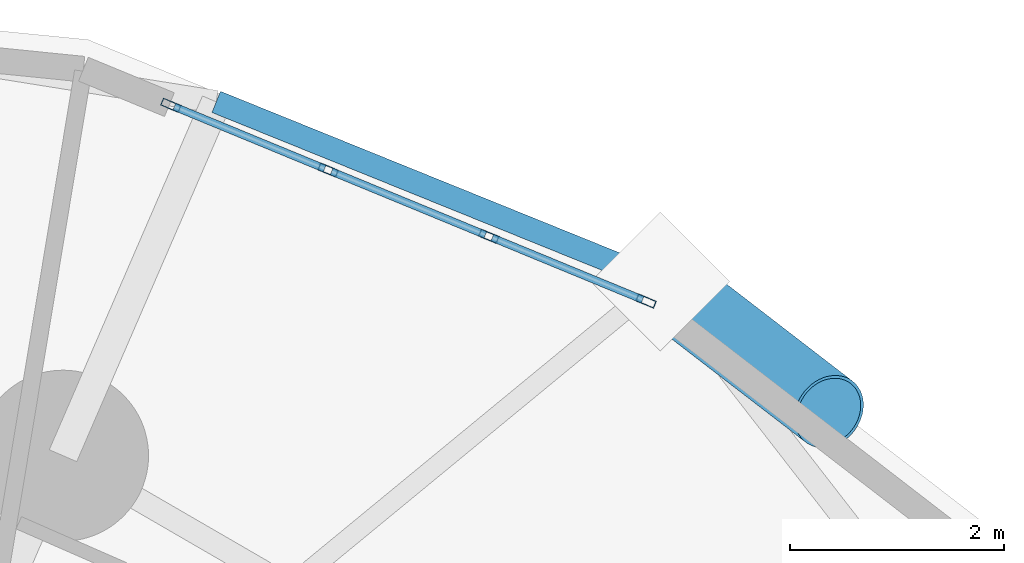
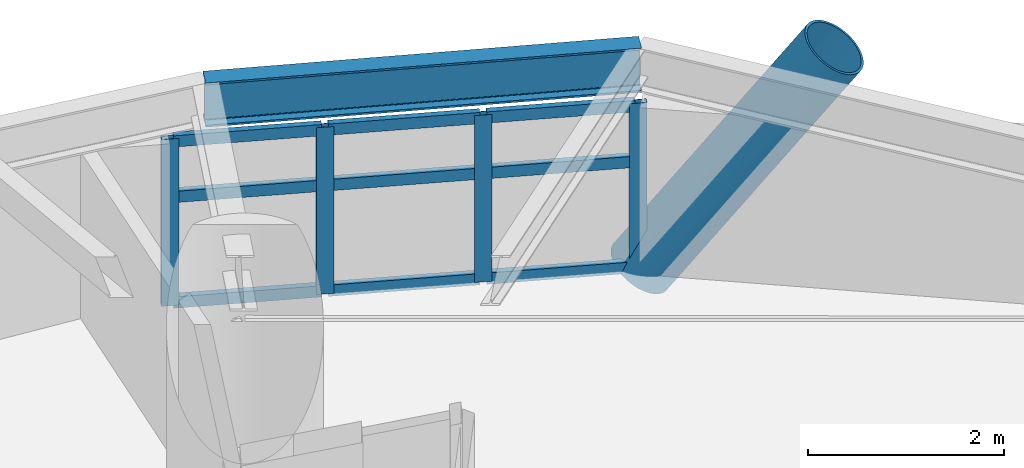
# One storey, part 7 of 19: 14 members, 1 beam, 1 element without a shape of its own.
"""IFC4 building model written with IfcOpenShell, lengths in metres."""

from ifc_helpers import new_model, si_unit, direction, frame, origin, origin_2d, place, context, subcontext, project, spatial, hollow_rectangle, hollow_circle, i_section, extrude, material, layer, layer_set, material_profile, profile_set, type_object, element, aggregate, save


model = new_model("IFC4")

# Units and contexts
model_context = context("Model", 3, precision=1e-05, world=origin(), true_north=direction((0.0, 1.0)))
body_context = subcontext(model_context, "Body", "Model", "MODEL_VIEW")
ifc_project = project(units=[si_unit("LENGTHUNIT", "METRE"), si_unit("AREAUNIT", "SQUARE_METRE"), si_unit("VOLUMEUNIT", "CUBIC_METRE"), si_unit("PLANEANGLEUNIT", "RADIAN"), si_unit("MASSUNIT", "GRAM", prefix="KILO")], contexts=[model_context])

# Site, building, storey
site_placement = place(None, origin())
site = spatial("IfcSite", under=ifc_project, at=site_placement, CompositionType="ELEMENT")
building_placement = place(site_placement, origin())
building = spatial("IfcBuilding", under=site, at=building_placement, Name="Cununo Teusaquillo Station Towers", CompositionType="ELEMENT")
storey_placement = place(building_placement, frame((0.0, 0.0, 30.72998046875)))
storey = spatial("IfcBuildingStorey", under=building, at=storey_placement, Name="L08", CompositionType="ELEMENT", Elevation=30.72998046875)

# Beam
ifc_material_1 = material(Name="Steel ASTM A572 Grade 50", Category="steel")
ifc_material_profile_1 = material_profile(ifc_material_1, i_section(OverallWidth=0.214111328125, OverallDepth=0.549072265625, WebThickness=0.0146484375, FlangeThickness=0.023681640625, FilletRadius=0.014892578125, at=origin_2d()), Name="W21X93")
ifc_profile_set_1 = profile_set([ifc_material_profile_1], Name="Steel ASTM A572 Grade 50")
beam_type = type_object("IfcBeamType", Name="BM-RING-Z1", PredefinedType="SPANDREL", material=ifc_profile_set_1)
beam_placement = place(storey_placement, frame((63.8779296875, 39.26416015625, 2.37548828125), z_axis=(-0.926969821386, 0.375135909025, 0.0), x_axis=(-0.375135909025, -0.926969821386, 0.0)))
element("IfcBeam", 1, at=beam_placement, inside=storey, type_object=beam_type, Name="L08 Tower B Spandrel Ring Beam 02", PredefinedType="SPANDREL", context=body_context, shape_type="SweptSolid", body=[
    extrude(i_section(OverallWidth=0.214111328125, OverallDepth=0.549072265625, WebThickness=0.0146484375, FlangeThickness=0.023681640625, FilletRadius=0.014892578125, at=origin_2d()), origin(), (0.0, 0.0, 1.0), 4.480712890625),
])

# Curtain wall, members
ifc_material_2 = material(Name="Ceramic-fritted dark low-E double glazing", Category="glass")
ifc_layer = layer(ifc_material_2, 0.179931640625)
ifc_layer_set = layer_set([ifc_layer], Name="Ceramic-fritted dark low-E double glazing")
curtain_wall_type = type_object("IfcCurtainWallType", Name="CW-SYS-02", PredefinedType="USERDEFINED", material=ifc_layer_set)
curtain_wall_placement = place(storey_placement, origin())
curtain_wall = element("IfcCurtainWall", 2, at=curtain_wall_placement, inside=storey, type_object=curtain_wall_type, Name="L08 Tower B Facade Curtain Wall C01", ObjectType="FRITTED GLAZING", PredefinedType="USERDEFINED")
ifc_material_3 = material(Name="Anodised dark bronze aluminium EN AW-6063-T6", Category="aluminium")
ifc_material_profile_2 = material_profile(ifc_material_3, hollow_rectangle(XDim=0.070068359375, YDim=0.179931640625, WallThickness=0.00390625, at=origin_2d()), Name="CW-MULL-70x180")
ifc_profile_set_2 = profile_set([ifc_material_profile_2], Name="Anodised dark bronze aluminium EN AW-6063-T6")
member_type_1 = type_object("IfcMemberType", Name="CWM-180", PredefinedType="MULLION", material=ifc_profile_set_2)
member_1_placement = place(storey_placement, frame((59.30029296875, 40.91357421875, 0.0), z_axis=(0.0, 0.0, 1.0), x_axis=(0.381054980568, 0.924552379146, 0.0)))
member_1 = element("IfcMember", 3, at=member_1_placement, type_object=member_type_1, Name="CW-02 mullion 1", PredefinedType="MULLION", context=body_context, shape_type="SweptSolid", body=[
    extrude(hollow_rectangle(XDim=0.070068359375, YDim=0.179931640625, WallThickness=0.00390625, at=origin_2d()), origin(), (0.0, 0.0, 1.0), 2.072998046875),
])
member_2_placement = place(storey_placement, frame((60.771240234375, 40.307373046875, 0.0), z_axis=(0.0, 0.0, 1.0), x_axis=(0.381054980568, 0.924552379146, 0.0)))
member_2 = element("IfcMember", 4, at=member_2_placement, type_object=member_type_1, Name="CW-02 mullion 2", PredefinedType="MULLION", context=body_context, shape_type="SweptSolid", body=[
    extrude(hollow_rectangle(XDim=0.070068359375, YDim=0.179931640625, WallThickness=0.00390625, at=origin_2d()), origin(), (0.0, 0.0, 1.0), 2.072998046875),
])
member_3_placement = place(storey_placement, frame((62.274658203125, 39.687744140625, 0.0), z_axis=(0.0, 0.0, 1.0), x_axis=(0.381054980568, 0.924552379146, 0.0)))
member_3 = element("IfcMember", 5, at=member_3_placement, type_object=member_type_1, Name="CW-02 mullion 3", PredefinedType="MULLION", context=body_context, shape_type="SweptSolid", body=[
    extrude(hollow_rectangle(XDim=0.070068359375, YDim=0.179931640625, WallThickness=0.00390625, at=origin_2d()), origin(), (0.0, 0.0, 1.0), 2.072998046875),
])
member_4_placement = place(storey_placement, frame((63.74560546875, 39.08154296875, 0.0), z_axis=(0.0, 0.0, 1.0), x_axis=(0.381054980568, 0.924552379146, 0.0)))
member_4 = element("IfcMember", 6, at=member_4_placement, type_object=member_type_1, Name="CW-02 mullion 4", PredefinedType="MULLION", context=body_context, shape_type="SweptSolid", body=[
    extrude(hollow_rectangle(XDim=0.070068359375, YDim=0.179931640625, WallThickness=0.00390625, at=origin_2d()), origin(), (0.0, 0.0, 1.0), 2.072998046875),
])
ifc_material_4 = material(Name="Anodised dark bronze aluminium EN AW-6063-T6", Category="aluminium")
ifc_material_profile_3 = material_profile(ifc_material_4, hollow_rectangle(XDim=0.070068359375, YDim=0.139892578125, WallThickness=0.00390625, at=origin_2d()), Name="CW-TRAN-70x140")
ifc_profile_set_3 = profile_set([ifc_material_profile_3], Name="Anodised dark bronze aluminium EN AW-6063-T6")
member_type_2 = type_object("IfcMemberType", Name="CWT-140", PredefinedType="USERDEFINED", material=ifc_profile_set_3)
member_5_placement = place(storey_placement, frame((59.33251953125, 40.900390625, 0.034912109375), z_axis=(0.924551727134, -0.381056562538, 0.0), x_axis=(0.381056562538, 0.924551727134, 0.0)))
member_5 = element("IfcMember", 7, at=member_5_placement, type_object=member_type_2, Name="CW-02 transom 1.1", ObjectType="TRANSOM", PredefinedType="USERDEFINED", context=body_context, shape_type="SweptSolid", body=[
    extrude(hollow_rectangle(XDim=0.070068359375, YDim=0.139892578125, WallThickness=0.00390625, at=origin_2d()), origin(), (0.0, 0.0, 1.0), 1.52099609375),
])
member_6_placement = place(storey_placement, frame((59.33251953125, 40.900390625, 1.346923828125), z_axis=(0.924551727134, -0.381056562538, 0.0), x_axis=(0.381056562538, 0.924551727134, 0.0)))
member_6 = element("IfcMember", 8, at=member_6_placement, type_object=member_type_2, Name="CW-02 transom 1.2", ObjectType="TRANSOM", PredefinedType="USERDEFINED", context=body_context, shape_type="SweptSolid", body=[
    extrude(hollow_rectangle(XDim=0.070068359375, YDim=0.139892578125, WallThickness=0.00390625, at=origin_2d()), origin(), (0.0, 0.0, 1.0), 1.52099609375),
])
member_7_placement = place(storey_placement, frame((59.33251953125, 40.900390625, 2.0380859375), z_axis=(0.924551727134, -0.381056562538, 0.0), x_axis=(0.381056562538, 0.924551727134, 0.0)))
member_7 = element("IfcMember", 9, at=member_7_placement, type_object=member_type_2, Name="CW-02 transom 1.3", ObjectType="TRANSOM", PredefinedType="USERDEFINED", context=body_context, shape_type="SweptSolid", body=[
    extrude(hollow_rectangle(XDim=0.070068359375, YDim=0.139892578125, WallThickness=0.00390625, at=origin_2d()), origin(), (0.0, 0.0, 1.0), 1.52099609375),
])
member_8_placement = place(storey_placement, frame((60.8037109375, 40.2939453125, 0.034912109375), z_axis=(0.924574069504, -0.381002349076, 0.0), x_axis=(0.381002349076, 0.924574069504, 0.0)))
member_8 = element("IfcMember", 10, at=member_8_placement, type_object=member_type_2, Name="CW-02 transom 2.1", ObjectType="TRANSOM", PredefinedType="USERDEFINED", context=body_context, shape_type="SweptSolid", body=[
    extrude(hollow_rectangle(XDim=0.070068359375, YDim=0.139892578125, WallThickness=0.00390625, at=origin_2d()), origin(), (0.0, 0.0, 1.0), 1.555908203125),
])
member_9_placement = place(storey_placement, frame((60.8037109375, 40.2939453125, 1.346923828125), z_axis=(0.924574069504, -0.381002349076, 0.0), x_axis=(0.381002349076, 0.924574069504, 0.0)))
member_9 = element("IfcMember", 11, at=member_9_placement, type_object=member_type_2, Name="CW-02 transom 2.2", ObjectType="TRANSOM", PredefinedType="USERDEFINED", context=body_context, shape_type="SweptSolid", body=[
    extrude(hollow_rectangle(XDim=0.070068359375, YDim=0.139892578125, WallThickness=0.00390625, at=origin_2d()), origin(), (0.0, 0.0, 1.0), 1.555908203125),
])
member_10_placement = place(storey_placement, frame((60.8037109375, 40.2939453125, 2.0380859375), z_axis=(0.924574069504, -0.381002349076, 0.0), x_axis=(0.381002349076, 0.924574069504, 0.0)))
member_10 = element("IfcMember", 12, at=member_10_placement, type_object=member_type_2, Name="CW-02 transom 2.3", ObjectType="TRANSOM", PredefinedType="USERDEFINED", context=body_context, shape_type="SweptSolid", body=[
    extrude(hollow_rectangle(XDim=0.070068359375, YDim=0.139892578125, WallThickness=0.00390625, at=origin_2d()), origin(), (0.0, 0.0, 1.0), 1.555908203125),
])
member_11_placement = place(storey_placement, frame((62.306884765625, 39.674560546875, 0.034912109375), z_axis=(0.924551727134, -0.381056562538, 0.0), x_axis=(0.381056562538, 0.924551727134, 0.0)))
member_11 = element("IfcMember", 13, at=member_11_placement, type_object=member_type_2, Name="CW-02 transom 3.1", ObjectType="TRANSOM", PredefinedType="USERDEFINED", context=body_context, shape_type="SweptSolid", body=[
    extrude(hollow_rectangle(XDim=0.070068359375, YDim=0.139892578125, WallThickness=0.00390625, at=origin_2d()), origin(), (0.0, 0.0, 1.0), 1.52099609375),
])
member_12_placement = place(storey_placement, frame((62.306884765625, 39.674560546875, 1.346923828125), z_axis=(0.924551727134, -0.381056562538, 0.0), x_axis=(0.381056562538, 0.924551727134, 0.0)))
member_12 = element("IfcMember", 14, at=member_12_placement, type_object=member_type_2, Name="CW-02 transom 3.2", ObjectType="TRANSOM", PredefinedType="USERDEFINED", context=body_context, shape_type="SweptSolid", body=[
    extrude(hollow_rectangle(XDim=0.070068359375, YDim=0.139892578125, WallThickness=0.00390625, at=origin_2d()), origin(), (0.0, 0.0, 1.0), 1.52099609375),
])
member_13_placement = place(storey_placement, frame((62.306884765625, 39.674560546875, 2.0380859375), z_axis=(0.924551727134, -0.381056562538, 0.0), x_axis=(0.381056562538, 0.924551727134, 0.0)))
member_13 = element("IfcMember", 15, at=member_13_placement, type_object=member_type_2, Name="CW-02 transom 3.3", ObjectType="TRANSOM", PredefinedType="USERDEFINED", context=body_context, shape_type="SweptSolid", body=[
    extrude(hollow_rectangle(XDim=0.070068359375, YDim=0.139892578125, WallThickness=0.00390625, at=origin_2d()), origin(), (0.0, 0.0, 1.0), 1.52099609375),
])
aggregate(curtain_wall, [member_1, member_2, member_3, member_4, member_5, member_6, member_7, member_8, member_9, member_10, member_11, member_12, member_13])

# Member
ifc_material_5 = material(Name="Steel EN 10025-2 S355J2", Category="steel")
ifc_material_profile_4 = material_profile(ifc_material_5, hollow_circle(Radius=0.360107421875, WallThickness=0.028076171875, at=origin_2d()), Name="CHS 720x28")
ifc_profile_set_4 = profile_set([ifc_material_profile_4], Name="Steel EN 10025-2 S355J2")
member_type_3 = type_object("IfcMemberType", Name="MBR-DIAG-Z1", PredefinedType="BRACE", material=ifc_profile_set_4)
member_14_placement = place(storey_placement, frame((63.8779296875, 39.26416015625, -0.139892578125), z_axis=(0.447647806896, -0.344855632281, 0.825036989392), x_axis=(0.610278916286, 0.792186622165, 0.0)))
element("IfcMember", 16, at=member_14_placement, inside=storey, type_object=member_type_3, Name="L08 Tower B Folded-Zigzag Diagrid Tube C00", PredefinedType="BRACE", context=body_context, shape_type="SweptSolid", body=[
    extrude(hollow_circle(Radius=0.360107421875, WallThickness=0.028076171875, at=origin_2d()), origin(), (0.0, 0.0, 1.0), 3.527099609375),
])

save(model, "model.ifc")
